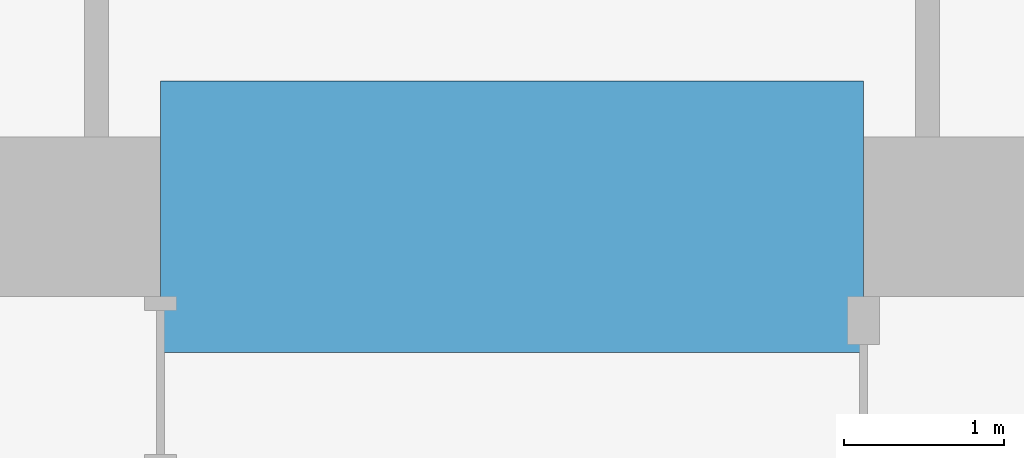
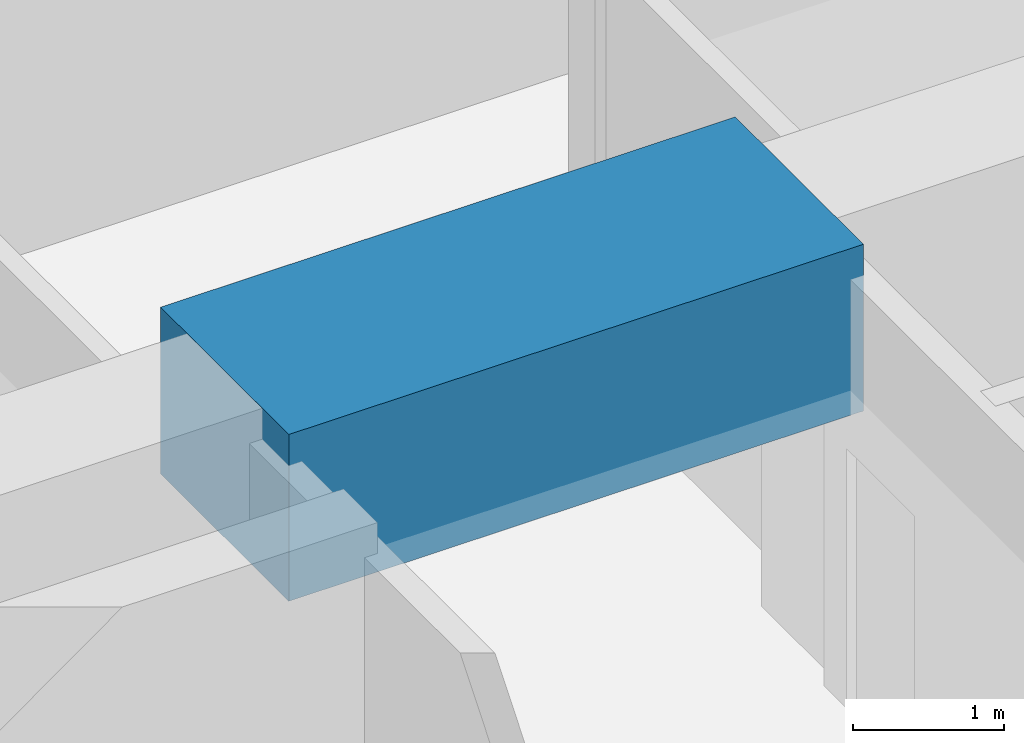
# One storey, part 18 of 40: 1 beam.
"""IFC4 building model written with IfcOpenShell, lengths in metres."""

from ifc_helpers import new_model, si_unit, direction, frame, origin, origin_2d, place, context, subcontext, project, spatial, rectangle, extrude, material, material_profile, profile_set, type_object, element, save


model = new_model("IFC4")

# Units and contexts
model_context = context("Model", 3, precision=1e-05, world=origin(), true_north=direction((0.0, 1.0)))
body_context = subcontext(model_context, "Body", "Model", "MODEL_VIEW")
ifc_project = project(units=[si_unit("LENGTHUNIT", "METRE"), si_unit("AREAUNIT", "SQUARE_METRE"), si_unit("VOLUMEUNIT", "CUBIC_METRE"), si_unit("PLANEANGLEUNIT", "RADIAN"), si_unit("MASSUNIT", "GRAM", prefix="KILO")], contexts=[model_context])

# Site, building, storey
site_placement = place(None, origin())
site = spatial("IfcSite", under=ifc_project, at=site_placement, CompositionType="ELEMENT")
building_placement = place(site_placement, origin())
building = spatial("IfcBuilding", under=site, at=building_placement, Name="Rekha Terrace Tower", CompositionType="ELEMENT")
storey_placement = place(building_placement, frame((0.0, 0.0, 129.050048828125)))
storey = spatial("IfcBuildingStorey", under=building, at=storey_placement, Name="L32", CompositionType="ELEMENT", Elevation=129.050048828125)

# Beam
ifc_material = material(Name="Concrete M70", Category="concrete")
ifc_material_profile = material_profile(ifc_material, rectangle(XDim=1.699951171875, YDim=1.35009765625, at=origin_2d()), Name="RC 1700x1350")
ifc_profile_set = profile_set([ifc_material_profile], Name="Concrete M70")
beam_type = type_object("IfcBeamType", Name="LB2A 1700x1350 diagonally reinforced coupling beam", PredefinedType="LINTEL", material=ifc_profile_set)
beam_placement = place(storey_placement, frame((35.60009765625, 46.199951171875, 3.074951171875), z_axis=(1.0, 0.0, 0.0), x_axis=(0.0, 1.0, 0.0)))
element("IfcBeam", 1, at=beam_placement, inside=storey, type_object=beam_type, Name="Coupling beam LB2A N L32", PredefinedType="LINTEL", context=body_context, shape_type="SweptSolid", body=[
    extrude(rectangle(XDim=1.699951171875, YDim=1.35009765625, at=origin_2d()), origin(), (0.0, 0.0, 1.0), 4.39990234375),
])

save(model, "model.ifc")
